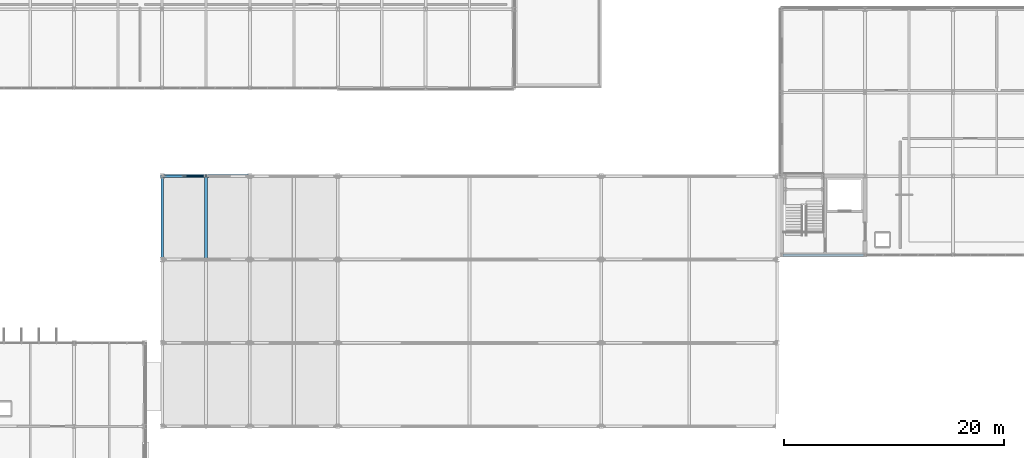
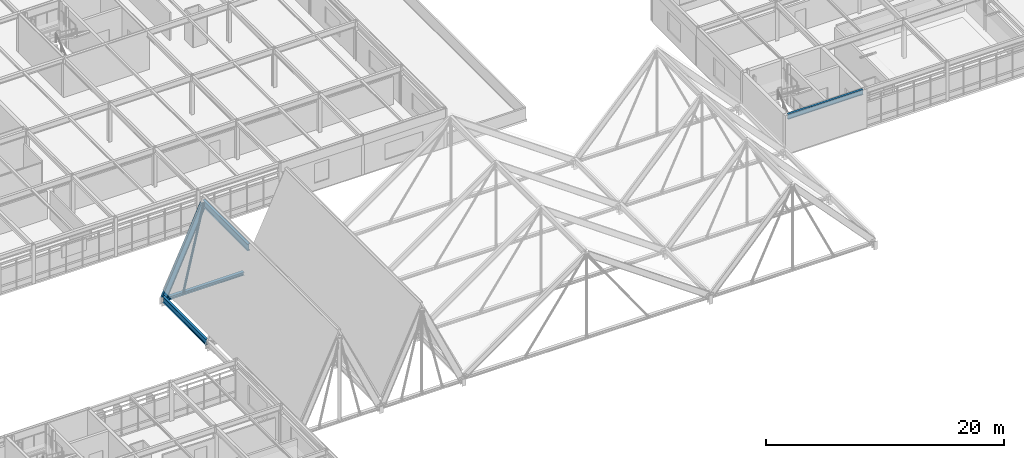
# One storey, part 41 of 85: 4 beams, 2 members.
"""IFC4 building model written with IfcOpenShell, lengths in metres."""

from ifc_helpers import new_model, si_unit, direction, frame, origin, origin_2d, place, context, subcontext, project, spatial, hollow_circle, i_section, extrude, material, material_profile, profile_set, type_object, element, save


model = new_model("IFC4")

# Units and contexts
model_context = context("Model", 3, precision=1e-05, world=origin(), true_north=direction((0.0, 1.0)))
body_context = subcontext(model_context, "Body", "Model", "MODEL_VIEW")
ifc_project = project(units=[si_unit("LENGTHUNIT", "METRE"), si_unit("AREAUNIT", "SQUARE_METRE"), si_unit("VOLUMEUNIT", "CUBIC_METRE"), si_unit("PLANEANGLEUNIT", "RADIAN"), si_unit("MASSUNIT", "GRAM", prefix="KILO")], contexts=[model_context])

# Site, building, storey
site_placement = place(None, origin())
site = spatial("IfcSite", under=ifc_project, at=site_placement, CompositionType="ELEMENT")
building_placement = place(site_placement, origin())
building = spatial("IfcBuilding", under=site, at=building_placement, Name="Zulena Civic Courthouse", CompositionType="ELEMENT")
storey_placement = place(building_placement, frame((0.0, 0.0, 25.199951171875)))
storey = spatial("IfcBuildingStorey", under=building, at=storey_placement, Name="L05", CompositionType="ELEMENT", Elevation=25.199951171875)

# Member
ifc_material_1 = material(Name="Steel ASTM A992 Grade 50", Category="steel")
ifc_material_profile_1 = material_profile(ifc_material_1, i_section(OverallWidth=0.30908203125, OverallDepth=0.322998046875, WebThickness=0.013916015625, FlangeThickness=0.02294921875, FilletRadius=0.01513671875, at=origin_2d()), Name="W12X96")
ifc_profile_set_1 = profile_set([ifc_material_profile_1], Name="Steel ASTM A992 Grade 50")
member_type_1 = type_object("IfcMemberType", Name="Chord_W12X96", PredefinedType="CHORD", material=ifc_profile_set_1)
member_1_placement = place(storey_placement, frame((68.139892578125, 38.0, 0.343017578125), z_axis=(1.0, 0.0, 0.0), x_axis=(0.0, 1.0, 0.0)))
element("IfcMember", 1, at=member_1_placement, inside=storey, type_object=member_type_1, Name="mem:fold:tie:01:38.0", PredefinedType="CHORD", context=body_context, shape_type="SweptSolid", body=[
    extrude(i_section(OverallWidth=0.30908203125, OverallDepth=0.322998046875, WebThickness=0.013916015625, FlangeThickness=0.02294921875, FilletRadius=0.01513671875, at=origin_2d()), origin(), (0.0, 0.0, 1.0), 7.72021484375),
])

# Beams
ifc_material_profile_2 = material_profile(ifc_material_1, i_section(OverallWidth=0.22802734375, OverallDepth=0.60693359375, WebThickness=0.01123046875, FlangeThickness=0.017333984375, FilletRadius=0.0126953125, at=origin_2d()), Name="W24X76")
ifc_profile_set_2 = profile_set([ifc_material_profile_2], Name="Steel ASTM A992 Grade 50")
beam_type_1 = type_object("IfcBeamType", Name="RoofRafter_W24X76", PredefinedType="BEAM", material=ifc_profile_set_2)
beam_1_placement = place(storey_placement, frame((68.139892578125, 38.0, 0.5029296875), z_axis=(0.416657439766, 0.0, 0.909063571973), x_axis=(0.0, 1.0, 0.0)))
element("IfcBeam", 2, at=beam_1_placement, inside=storey, type_object=beam_type_1, Name="beam:fold:rafW:01:38.0", PredefinedType="BEAM", context=body_context, shape_type="SweptSolid", body=[
    extrude(i_section(OverallWidth=0.22802734375, OverallDepth=0.60693359375, WebThickness=0.01123046875, FlangeThickness=0.017333984375, FilletRadius=0.0126953125, at=origin_2d()), origin(), (0.0, 0.0, 1.0), 9.240478515625),
])
beam_2_placement = place(storey_placement, frame((68.0, 30.5400390625, 0.5029296875), z_axis=(0.0, 1.0, 0.0), x_axis=(-1.0, 0.0, 0.0)))
element("IfcBeam", 3, at=beam_2_placement, inside=storey, type_object=beam_type_1, Name="beam:fold:val:L05:68.0:30.4", PredefinedType="BEAM", context=body_context, shape_type="SweptSolid", body=[
    extrude(i_section(OverallWidth=0.22802734375, OverallDepth=0.60693359375, WebThickness=0.01123046875, FlangeThickness=0.017333984375, FilletRadius=0.0126953125, at=origin_2d()), origin(), (0.0, 0.0, 1.0), 7.320068359375),
])
ifc_material_profile_3 = material_profile(ifc_material_1, i_section(OverallWidth=0.25390625, OverallDepth=0.68798828125, WebThickness=0.01318359375, FlangeThickness=0.02099609375, FilletRadius=0.0166015625, at=origin_2d()), Name="W27X102")
ifc_profile_set_3 = profile_set([ifc_material_profile_3], Name="Steel ASTM A992 Grade 50")
beam_type_2 = type_object("IfcBeamType", Name="RoofRafter_W27X102", PredefinedType="BEAM", material=ifc_profile_set_3)
beam_3_placement = place(storey_placement, frame((72.0, 30.419921875, 8.903076171875), z_axis=(0.0, 1.0, 0.0), x_axis=(-1.0, 0.0, 0.0)))
element("IfcBeam", 4, at=beam_3_placement, inside=storey, type_object=beam_type_2, Name="beam:fold:ridge:01:30.4", PredefinedType="BEAM", context=body_context, shape_type="SweptSolid", body=[
    extrude(i_section(OverallWidth=0.25390625, OverallDepth=0.68798828125, WebThickness=0.01318359375, FlangeThickness=0.02099609375, FilletRadius=0.0166015625, at=origin_2d()), origin(), (0.0, 0.0, 1.0), 7.56005859375),
])

# Member
ifc_material_2 = material(Name="Steel ASTM A500 Grade C", Category="steel")
ifc_material_profile_4 = material_profile(ifc_material_2, hollow_circle(Radius=0.109619140625, WallThickness=0.0087890625, at=origin_2d()), Name="HSS8.625X0.375")
ifc_profile_set_4 = profile_set([ifc_material_profile_4], Name="Steel ASTM A500 Grade C")
member_type_2 = type_object("IfcMemberType", Name="RoofWeb_CHS8", PredefinedType="USERDEFINED", material=ifc_profile_set_4)
member_2_placement = place(storey_placement, frame((70.0, 38.0, 0.343017578125), z_axis=(0.227515822053, 0.0, 0.973774383888), x_axis=(0.0, 1.0, 0.0)))
element("IfcMember", 5, at=member_2_placement, inside=storey, type_object=member_type_2, Name="mem:fold:diagW:01:38.0", ObjectType="ROOF TRUSS", PredefinedType="USERDEFINED", context=body_context, shape_type="SweptSolid", body=[
    extrude(hollow_circle(Radius=0.109619140625, WallThickness=0.0087890625, at=origin_2d()), origin(), (0.0, 0.0, 1.0), 8.79052734375),
])

# Beam
ifc_material_profile_5 = material_profile(ifc_material_1, i_section(OverallWidth=0.2099609375, OverallDepth=0.537109375, WebThickness=0.010986328125, FlangeThickness=0.017333984375, FilletRadius=0.0126953125, at=origin_2d()), Name="W21X68")
ifc_profile_set_5 = profile_set([ifc_material_profile_5], Name="Steel ASTM A992 Grade 50")
beam_type_3 = type_object("IfcBeamType", Name="Spandrel_W21X68", PredefinedType="SPANDREL", material=ifc_profile_set_5)
beam_4_placement = place(storey_placement, frame((124.544921875, 30.800048828125, 3.721435546875), z_axis=(1.0, 0.0, 0.0), x_axis=(0.0, 1.0, 0.0)))
element("IfcBeam", 6, at=beam_4_placement, inside=storey, type_object=beam_type_3, Name="beam:X:V3:L05:30.8:124.4_132.0", PredefinedType="SPANDREL", context=body_context, shape_type="SweptSolid", body=[
    extrude(i_section(OverallWidth=0.2099609375, OverallDepth=0.537109375, WebThickness=0.010986328125, FlangeThickness=0.017333984375, FilletRadius=0.0126953125, at=origin_2d()), origin(), (0.0, 0.0, 1.0), 7.31005859375),
])

save(model, "model.ifc")
